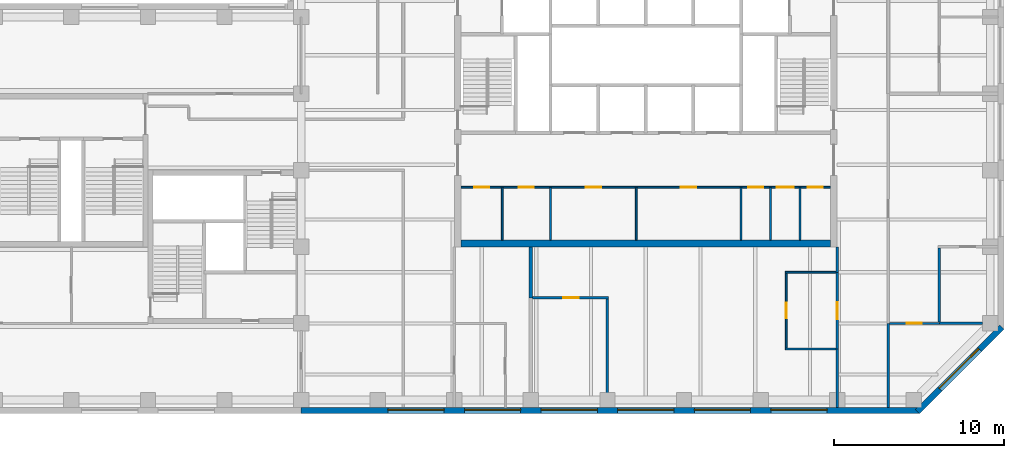
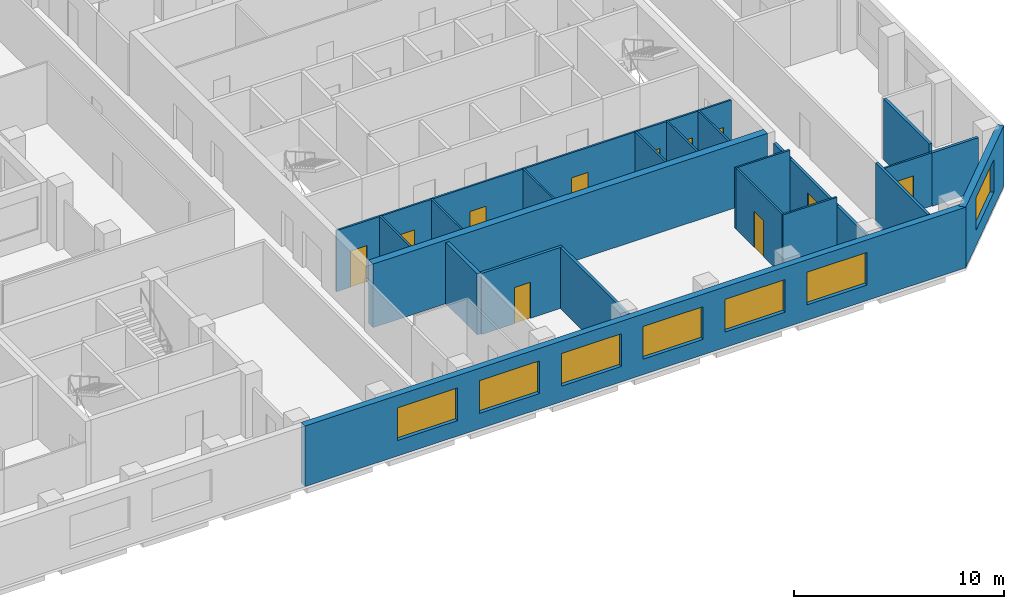
# One storey, part 4 of 9: 23 walls, 11 doors, 7 windows, 18 openings.
"""IFC4 building model written with IfcOpenShell, lengths in metres."""

from ifc_helpers import new_model, si_unit, direction, frame, frame_2d, origin, place, context, subcontext, project, spatial, rectangle, extrude, material, layer, layer_set, constituent, constituent_set, type_object, element, fill, save


model = new_model("IFC4")

# Units and contexts
model_context = context("Model", 3, precision=1e-05, world=origin(), true_north=direction((0.0, 1.0)))
body_context = subcontext(model_context, "Body", "Model", "MODEL_VIEW")
ifc_project = project(units=[si_unit("LENGTHUNIT", "METRE"), si_unit("AREAUNIT", "SQUARE_METRE"), si_unit("VOLUMEUNIT", "CUBIC_METRE"), si_unit("PLANEANGLEUNIT", "RADIAN"), si_unit("MASSUNIT", "GRAM", prefix="KILO")], contexts=[model_context])

# Site, building, storey
site_placement = place(None, origin())
site = spatial("IfcSite", under=ifc_project, at=site_placement, CompositionType="ELEMENT")
building_placement = place(site_placement, origin())
building = spatial("IfcBuilding", under=site, at=building_placement, Name="Quoin Convention Tower", CompositionType="ELEMENT")
storey_placement = place(building_placement, frame((0.0, 0.0, 223.0)))
storey = spatial("IfcBuildingStorey", under=building, at=storey_placement, Name="L58", CompositionType="ELEMENT", Elevation=223.0)

# Wall, opening, door
ifc_material_1 = material(Name="Plasterboard")
ifc_layer_1 = layer(ifc_material_1, 0.012451171875, Name="Finish")
ifc_material_2 = material(Name="Steel stud framing", Category="steel")
ifc_layer_2 = layer(ifc_material_2, 0.125, Name="Structure")
ifc_layer_3 = layer(ifc_material_1, 0.012451171875, Name="Finish")
ifc_layer_set_1 = layer_set([ifc_layer_1, ifc_layer_2, ifc_layer_3], Name="Steel stud framing")
wall_type_1 = type_object("IfcWallType", Name="Acoustic partition 150", PredefinedType="PARTITIONING", material=ifc_layer_set_1)
wall_1_placement = place(storey_placement, frame((49.60009765625, 46.5, 0.0), z_axis=(0.0, 0.0, 1.0), x_axis=(1.0, 0.0, 0.0)))
wall_1 = element("IfcWall", 1, at=wall_1_placement, inside=storey, type_object=wall_type_1, Name="pw-L58-009", PredefinedType="PARTITIONING", context=body_context, shape_type="SweptSolid", body=[
    extrude(rectangle(XDim=4.474853515625, YDim=0.14990234375, at=frame_2d((2.2373046875, 0.0))), origin(), (0.0, 0.0, 1.0), 3.550048828125),
])
opening_1_placement = place(wall_1_placement, frame((1.800048828125, 0.0, 0.0)))
opening_1 = element("IfcOpeningElement", 2, at=opening_1_placement, cuts=wall_1, Name="Opening DOH10-02", PredefinedType="OPENING", context=body_context, shape_type="SweptSolid", body=[
    extrude(rectangle(XDim=0.89990234375, YDim=2.10009765625, at=frame_2d((0.449951171875, 1.050048828125))), frame((0.0, 0.0849609375, 0.0), z_axis=(0.0, -1.0, 0.0), x_axis=(1.0, 0.0, 0.0)), (0.0, 0.0, 1.0), 0.169921875),
])
ifc_material_3 = material(Name="Steel door leaf", Category="steel")
door_type_1 = type_object("IfcDoorType", Name="Office door 900 x 2100", OperationType="SINGLE_SWING_RIGHT", PredefinedType="DOOR", material=ifc_material_3)
door_1_placement = place(opening_1_placement, origin())
door_1 = element("IfcDoor", 3, at=door_1_placement, inside=storey, type_object=door_type_1, Name="dr-L58-14", OperationType="SINGLE_SWING_RIGHT", OverallHeight=2.10009765625, OverallWidth=0.89990234375, PredefinedType="DOOR", context=body_context, shape_type="SweptSolid", body=[
    extrude(rectangle(XDim=0.89990234375, YDim=2.10009765625, at=frame_2d((0.449951171875, 1.050048828125))), frame((0.0, 0.02490234375, 0.0), z_axis=(0.0, -1.0, 0.0), x_axis=(1.0, 0.0, 0.0)), (0.0, 0.0, 1.0), 0.050048828125),
])
fill(opening_1, door_1)

# Walls
wall_2_placement = place(storey_placement, frame((54.0, 40.050048828125, 0.0), z_axis=(0.0, 0.0, 1.0), x_axis=(0.0, 1.0, 0.0)))
element("IfcWall", 4, at=wall_2_placement, inside=storey, type_object=wall_type_1, Name="pw-L58-039", PredefinedType="PARTITIONING", context=body_context, shape_type="SweptSolid", body=[
    extrude(rectangle(XDim=6.375, YDim=0.14990234375, at=frame_2d((3.1875, 0.0))), origin(), (0.0, 0.0, 1.0), 3.550048828125),
])
wall_3_placement = place(storey_placement, frame((73.5, 45.074951171875, 0.0), z_axis=(0.0, 0.0, 1.0), x_axis=(0.0, 1.0, 0.0)))
element("IfcWall", 5, at=wall_3_placement, inside=storey, type_object=wall_type_1, Name="pw-L58-050", PredefinedType="PARTITIONING", context=body_context, shape_type="SweptSolid", body=[
    extrude(rectangle(XDim=4.35009765625, YDim=0.14990234375, at=frame_2d((2.175048828125, 0.0))), origin(), (0.0, 0.0, 1.0), 3.550048828125),
])
ifc_layer_4 = layer(ifc_material_1, 0.012451171875, Name="Finish")
ifc_layer_5 = layer(ifc_material_2, 0.125, Name="Structure")
ifc_layer_6 = layer(ifc_material_1, 0.012451171875, Name="Finish")
ifc_layer_set_2 = layer_set([ifc_layer_4, ifc_layer_5, ifc_layer_6], Name="Steel stud framing")
wall_type_2 = type_object("IfcWallType", Name="Acoustic partition 150 under beam 454", PredefinedType="PARTITIONING", material=ifc_layer_set_2)
wall_4_placement = place(storey_placement, frame((73.5, 45.0, 0.0), z_axis=(0.0, 0.0, 1.0), x_axis=(1.0, 0.0, 0.0)))
element("IfcWall", 6, at=wall_4_placement, inside=storey, type_object=wall_type_2, Name="pw-L58-007", PredefinedType="PARTITIONING", context=body_context, shape_type="SweptSolid", body=[
    extrude(rectangle(XDim=2.550048828125, YDim=0.14990234375, at=frame_2d((1.27490234375, 0.0))), origin(), (0.0, 0.0, 1.0), 3.095947265625),
])

# Wall, openings, windows
ifc_material_4 = material(Name="Brick masonry", Category="masonry")
ifc_layer_7 = layer(ifc_material_4, 0.35009765625)
ifc_layer_set_3 = layer_set([ifc_layer_7], Name="Brick masonry")
wall_type_3 = type_object("IfcWallType", Name="Brick facade wall", PredefinedType="STANDARD", material=ifc_layer_set_3)
wall_5_placement = place(storey_placement, frame((36.0, 39.875, 0.0), z_axis=(0.0, 0.0, 1.0), x_axis=(1.0, 0.0, 0.0)))
wall_5 = element("IfcWall", 7, at=wall_5_placement, inside=storey, type_object=wall_type_3, Name="fw-L58-36000_40500", PredefinedType="STANDARD", context=body_context, shape_type="SweptSolid", body=[
    extrude(rectangle(XDim=36.331298828125, YDim=0.35009765625, at=frame_2d((18.16552734375, 0.0))), origin(), (0.0, 0.0, 1.0), 3.52490234375),
])
opening_2_placement = place(wall_5_placement, frame((5.10009765625, 0.0, 0.89990234375)))
opening_2 = element("IfcOpeningElement", 8, at=opening_2_placement, cuts=wall_5, Name="Opening W-02", PredefinedType="OPENING", context=body_context, shape_type="SweptSolid", body=[
    extrude(rectangle(XDim=3.300048828125, YDim=1.89990234375, at=frame_2d((1.64990234375, 0.949951171875))), frame((0.0, 0.18505859375, 0.0), z_axis=(0.0, -1.0, 0.0), x_axis=(1.0, 0.0, 0.0)), (0.0, 0.0, 1.0), 0.3701171875),
])
opening_3_placement = place(wall_5_placement, frame((9.60009765625, 0.0, 0.89990234375)))
opening_3 = element("IfcOpeningElement", 9, at=opening_3_placement, cuts=wall_5, Name="Opening W-02", PredefinedType="OPENING", context=body_context, shape_type="SweptSolid", body=[
    extrude(rectangle(XDim=3.300048828125, YDim=1.89990234375, at=frame_2d((1.64990234375, 0.949951171875))), frame((0.0, 0.18505859375, 0.0), z_axis=(0.0, -1.0, 0.0), x_axis=(1.0, 0.0, 0.0)), (0.0, 0.0, 1.0), 0.3701171875),
])
opening_4_placement = place(wall_5_placement, frame((14.10009765625, 0.0, 0.89990234375)))
opening_4 = element("IfcOpeningElement", 10, at=opening_4_placement, cuts=wall_5, Name="Opening W-02", PredefinedType="OPENING", context=body_context, shape_type="SweptSolid", body=[
    extrude(rectangle(XDim=3.300048828125, YDim=1.89990234375, at=frame_2d((1.64990234375, 0.949951171875))), frame((0.0, 0.18505859375, 0.0), z_axis=(0.0, -1.0, 0.0), x_axis=(1.0, 0.0, 0.0)), (0.0, 0.0, 1.0), 0.3701171875),
])
opening_5_placement = place(wall_5_placement, frame((18.60009765625, 0.0, 0.89990234375)))
opening_5 = element("IfcOpeningElement", 11, at=opening_5_placement, cuts=wall_5, Name="Opening W-02", PredefinedType="OPENING", context=body_context, shape_type="SweptSolid", body=[
    extrude(rectangle(XDim=3.300048828125, YDim=1.89990234375, at=frame_2d((1.64990234375, 0.949951171875))), frame((0.0, 0.18505859375, 0.0), z_axis=(0.0, -1.0, 0.0), x_axis=(1.0, 0.0, 0.0)), (0.0, 0.0, 1.0), 0.3701171875),
])
opening_6_placement = place(wall_5_placement, frame((23.10009765625, 0.0, 0.89990234375)))
opening_6 = element("IfcOpeningElement", 12, at=opening_6_placement, cuts=wall_5, Name="Opening W-02", PredefinedType="OPENING", context=body_context, shape_type="SweptSolid", body=[
    extrude(rectangle(XDim=3.300048828125, YDim=1.89990234375, at=frame_2d((1.64990234375, 0.949951171875))), frame((0.0, 0.18505859375, 0.0), z_axis=(0.0, -1.0, 0.0), x_axis=(1.0, 0.0, 0.0)), (0.0, 0.0, 1.0), 0.3701171875),
])
opening_7_placement = place(wall_5_placement, frame((27.60009765625, 0.0, 0.89990234375)))
opening_7 = element("IfcOpeningElement", 13, at=opening_7_placement, cuts=wall_5, Name="Opening W-02", PredefinedType="OPENING", context=body_context, shape_type="SweptSolid", body=[
    extrude(rectangle(XDim=3.300048828125, YDim=1.89990234375, at=frame_2d((1.64990234375, 0.949951171875))), frame((0.0, 0.18505859375, 0.0), z_axis=(0.0, -1.0, 0.0), x_axis=(1.0, 0.0, 0.0)), (0.0, 0.0, 1.0), 0.3701171875),
])
ifc_material_5 = material(Name="Aluminium", Category="aluminium")
ifc_constituent_1 = constituent(ifc_material_5, Name="Frame")
ifc_material_6 = material(Name="Insulated glass", Category="glass")
ifc_constituent_2 = constituent(ifc_material_6, Name="Glazing")
ifc_constituent_set = constituent_set(constituents=[ifc_constituent_1, ifc_constituent_2], Name="Aluminium")
window_type = type_object("IfcWindowType", Name="Office window", PartitioningType="DOUBLE_PANEL_VERTICAL", PredefinedType="WINDOW", material=ifc_constituent_set)
window_1_placement = place(opening_2_placement, origin())
window_1 = element("IfcWindow", 14, at=window_1_placement, inside=storey, type_object=window_type, Name="win-L58-42750_39875", OverallHeight=1.89990234375, OverallWidth=3.300048828125, PartitioningType="SINGLE_PANEL", PredefinedType="WINDOW", context=body_context, shape_type="SweptSolid", body=[
    extrude(rectangle(XDim=3.300048828125, YDim=1.89990234375, at=frame_2d((1.64990234375, 0.949951171875))), frame((0.0, 0.0849609375, 0.0), z_axis=(0.0, -1.0, 0.0), x_axis=(1.0, 0.0, 0.0)), (0.0, 0.0, 1.0), 0.06005859375),
])
fill(opening_2, window_1)
window_2_placement = place(opening_3_placement, origin())
window_2 = element("IfcWindow", 15, at=window_2_placement, inside=storey, type_object=window_type, Name="win-L58-47250_39875", OverallHeight=1.89990234375, OverallWidth=3.300048828125, PartitioningType="SINGLE_PANEL", PredefinedType="WINDOW", context=body_context, shape_type="SweptSolid", body=[
    extrude(rectangle(XDim=3.300048828125, YDim=1.89990234375, at=frame_2d((1.64990234375, 0.949951171875))), frame((0.0, 0.0849609375, 0.0), z_axis=(0.0, -1.0, 0.0), x_axis=(1.0, 0.0, 0.0)), (0.0, 0.0, 1.0), 0.06005859375),
])
fill(opening_3, window_2)
window_3_placement = place(opening_4_placement, origin())
window_3 = element("IfcWindow", 16, at=window_3_placement, inside=storey, type_object=window_type, Name="win-L58-51750_39875", OverallHeight=1.89990234375, OverallWidth=3.300048828125, PartitioningType="SINGLE_PANEL", PredefinedType="WINDOW", context=body_context, shape_type="SweptSolid", body=[
    extrude(rectangle(XDim=3.300048828125, YDim=1.89990234375, at=frame_2d((1.64990234375, 0.949951171875))), frame((0.0, 0.0849609375, 0.0), z_axis=(0.0, -1.0, 0.0), x_axis=(1.0, 0.0, 0.0)), (0.0, 0.0, 1.0), 0.06005859375),
])
fill(opening_4, window_3)
window_4_placement = place(opening_5_placement, origin())
window_4 = element("IfcWindow", 17, at=window_4_placement, inside=storey, type_object=window_type, Name="win-L58-56250_39875", OverallHeight=1.89990234375, OverallWidth=3.300048828125, PartitioningType="SINGLE_PANEL", PredefinedType="WINDOW", context=body_context, shape_type="SweptSolid", body=[
    extrude(rectangle(XDim=3.300048828125, YDim=1.89990234375, at=frame_2d((1.64990234375, 0.949951171875))), frame((0.0, 0.0849609375, 0.0), z_axis=(0.0, -1.0, 0.0), x_axis=(1.0, 0.0, 0.0)), (0.0, 0.0, 1.0), 0.06005859375),
])
fill(opening_5, window_4)
window_5_placement = place(opening_6_placement, origin())
window_5 = element("IfcWindow", 18, at=window_5_placement, inside=storey, type_object=window_type, Name="win-L58-60750_39875", OverallHeight=1.89990234375, OverallWidth=3.300048828125, PartitioningType="SINGLE_PANEL", PredefinedType="WINDOW", context=body_context, shape_type="SweptSolid", body=[
    extrude(rectangle(XDim=3.300048828125, YDim=1.89990234375, at=frame_2d((1.64990234375, 0.949951171875))), frame((0.0, 0.0849609375, 0.0), z_axis=(0.0, -1.0, 0.0), x_axis=(1.0, 0.0, 0.0)), (0.0, 0.0, 1.0), 0.06005859375),
])
fill(opening_6, window_5)
window_6_placement = place(opening_7_placement, origin())
window_6 = element("IfcWindow", 19, at=window_6_placement, inside=storey, type_object=window_type, Name="win-L58-65250_39875", OverallHeight=1.89990234375, OverallWidth=3.300048828125, PartitioningType="SINGLE_PANEL", PredefinedType="WINDOW", context=body_context, shape_type="SweptSolid", body=[
    extrude(rectangle(XDim=3.300048828125, YDim=1.89990234375, at=frame_2d((1.64990234375, 0.949951171875))), frame((0.0, 0.0849609375, 0.0), z_axis=(0.0, -1.0, 0.0), x_axis=(1.0, 0.0, 0.0)), (0.0, 0.0, 1.0), 0.06005859375),
])
fill(opening_7, window_6)

# Wall, opening, window
wall_6_placement = place(storey_placement, frame((72.20751953125, 39.82373046875, 0.0), z_axis=(0.0, 0.0, 1.0), x_axis=(0.707106781187, 0.707106781187, 0.0)))
wall_6 = element("IfcWall", 20, at=wall_6_placement, inside=storey, type_object=wall_type_3, Name="fw-L58-72000_40500", PredefinedType="STANDARD", context=body_context, shape_type="SweptSolid", body=[
    extrude(rectangle(XDim=7.02685546875, YDim=0.35009765625, at=frame_2d((3.513427734375, 0.0))), origin(), (0.0, 0.0, 1.0), 3.52490234375),
])
opening_8_placement = place(wall_6_placement, frame((1.86328125, 0.0, 0.89990234375)))
opening_8 = element("IfcOpeningElement", 21, at=opening_8_placement, cuts=wall_6, Name="Opening W-02", PredefinedType="OPENING", context=body_context, shape_type="SweptSolid", body=[
    extrude(rectangle(XDim=3.300048828125, YDim=1.89990234375, at=frame_2d((1.64990234375, 0.949951171875))), frame((0.0, 0.18505859375, 0.0), z_axis=(0.0, -1.0, 0.0), x_axis=(1.0, 0.0, 0.0)), (0.0, 0.0, 1.0), 0.3701171875),
])
window_7_placement = place(opening_8_placement, origin())
window_7 = element("IfcWindow", 22, at=window_7_placement, inside=storey, type_object=window_type, Name="win-L58-74692_42308", OverallHeight=1.89990234375, OverallWidth=3.300048828125, PartitioningType="SINGLE_PANEL", PredefinedType="WINDOW", context=body_context, shape_type="SweptSolid", body=[
    extrude(rectangle(XDim=3.300048828125, YDim=1.89990234375, at=frame_2d((1.64990234375, 0.949951171875))), frame((0.0, 0.0849609375, 0.0), z_axis=(0.0, -1.0, 0.0), x_axis=(1.0, 0.0, 0.0)), (0.0, 0.0, 1.0), 0.06005859375),
])
fill(opening_8, window_7)

# Wall, openings, doors
ifc_layer_8 = layer(ifc_material_1, 0.012451171875, Name="Finish")
ifc_layer_9 = layer(ifc_material_2, 0.074951171875, Name="Structure")
ifc_layer_10 = layer(ifc_material_1, 0.012451171875, Name="Finish")
ifc_layer_set_4 = layer_set([ifc_layer_8, ifc_layer_9, ifc_layer_10], Name="Steel stud framing")
wall_type_4 = type_object("IfcWallType", Name="Core partition wall", PredefinedType="PARTITIONING", material=ifc_layer_set_4)
wall_7_placement = place(storey_placement, frame((45.39990234375, 53.0, 0.0), z_axis=(0.0, 0.0, 1.0), x_axis=(1.0, 0.0, 0.0)))
wall_7 = element("IfcWall", 23, at=wall_7_placement, inside=storey, type_object=wall_type_4, Name="cr-C1-L58-h3500_400", PredefinedType="PARTITIONING", context=body_context, shape_type="SweptSolid", body=[
    extrude(rectangle(XDim=21.7001953125, YDim=0.10009765625, at=frame_2d((10.85009765625, 0.0))), origin(), (0.0, 0.0, 1.0), 3.550048828125),
])
opening_9_placement = place(wall_7_placement, frame((20.357421875, 0.0, 0.0)))
opening_9 = element("IfcOpeningElement", 24, at=opening_9_placement, cuts=wall_7, Name="Opening DCV2-32", PredefinedType="OPENING", context=body_context, shape_type="SweptSolid", body=[
    extrude(rectangle(XDim=0.89990234375, YDim=2.10009765625, at=frame_2d((0.449951171875, 1.050048828125))), frame((0.0, 0.06005859375, 0.0), z_axis=(0.0, -1.0, 0.0), x_axis=(1.0, 0.0, 0.0)), (0.0, 0.0, 1.0), 0.1201171875),
])
opening_10_placement = place(wall_7_placement, frame((18.548828125, 0.0, 0.0)))
opening_10 = element("IfcOpeningElement", 25, at=opening_10_placement, cuts=wall_7, Name="Opening DCV2-31", PredefinedType="OPENING", context=body_context, shape_type="SweptSolid", body=[
    extrude(rectangle(XDim=1.0, YDim=2.10009765625, at=frame_2d((0.5, 1.050048828125))), frame((0.0, 0.06005859375, 0.0), z_axis=(0.0, -1.0, 0.0), x_axis=(1.0, 0.0, 0.0)), (0.0, 0.0, 1.0), 0.1201171875),
])
opening_11_placement = place(wall_7_placement, frame((16.8662109375, 0.0, 0.0)))
opening_11 = element("IfcOpeningElement", 26, at=opening_11_placement, cuts=wall_7, Name="Opening DCV2-30", PredefinedType="OPENING", context=body_context, shape_type="SweptSolid", body=[
    extrude(rectangle(XDim=0.89990234375, YDim=2.10009765625, at=frame_2d((0.449951171875, 1.050048828125))), frame((0.0, 0.06005859375, 0.0), z_axis=(0.0, -1.0, 0.0), x_axis=(1.0, 0.0, 0.0)), (0.0, 0.0, 1.0), 0.1201171875),
])
opening_12_placement = place(wall_7_placement, frame((0.757568359375, 0.0, 0.0)))
opening_12 = element("IfcOpeningElement", 27, at=opening_12_placement, cuts=wall_7, Name="Opening DCV2-22", PredefinedType="OPENING", context=body_context, shape_type="SweptSolid", body=[
    extrude(rectangle(XDim=0.89990234375, YDim=2.10009765625, at=frame_2d((0.449951171875, 1.050048828125))), frame((0.0, 0.06005859375, 0.0), z_axis=(0.0, -1.0, 0.0), x_axis=(1.0, 0.0, 0.0)), (0.0, 0.0, 1.0), 0.1201171875),
])
opening_13_placement = place(wall_7_placement, frame((3.382568359375, 0.0, 0.0)))
opening_13 = element("IfcOpeningElement", 28, at=opening_13_placement, cuts=wall_7, Name="Opening DCV2-23", PredefinedType="OPENING", context=body_context, shape_type="SweptSolid", body=[
    extrude(rectangle(XDim=0.89990234375, YDim=2.10009765625, at=frame_2d((0.449951171875, 1.050048828125))), frame((0.0, 0.06005859375, 0.0), z_axis=(0.0, -1.0, 0.0), x_axis=(1.0, 0.0, 0.0)), (0.0, 0.0, 1.0), 0.1201171875),
])
opening_14_placement = place(wall_7_placement, frame((7.320068359375, 0.0, 0.0)))
opening_14 = element("IfcOpeningElement", 29, at=opening_14_placement, cuts=wall_7, Name="Opening DCV2-25", PredefinedType="OPENING", context=body_context, shape_type="SweptSolid", body=[
    extrude(rectangle(XDim=0.89990234375, YDim=2.10009765625, at=frame_2d((0.449951171875, 1.050048828125))), frame((0.0, 0.06005859375, 0.0), z_axis=(0.0, -1.0, 0.0), x_axis=(1.0, 0.0, 0.0)), (0.0, 0.0, 1.0), 0.1201171875),
])
opening_15_placement = place(wall_7_placement, frame((12.919921875, 0.0, 0.0)))
opening_15 = element("IfcOpeningElement", 30, at=opening_15_placement, cuts=wall_7, Name="Opening DCV2-28", PredefinedType="OPENING", context=body_context, shape_type="SweptSolid", body=[
    extrude(rectangle(XDim=0.89990234375, YDim=2.10009765625, at=frame_2d((0.449951171875, 1.050048828125))), frame((0.0, 0.06005859375, 0.0), z_axis=(0.0, -1.0, 0.0), x_axis=(1.0, 0.0, 0.0)), (0.0, 0.0, 1.0), 0.1201171875),
])
door_type_2 = type_object("IfcDoorType", Name="Core room door 1000 x 2100", OperationType="SINGLE_SWING_LEFT", PredefinedType="DOOR", material=ifc_material_3)
door_2_placement = place(opening_10_placement, frame((1.0, 0.0, 0.0), z_axis=(0.0, 0.0, 1.0), x_axis=(-1.0, 0.0, 0.0)))
door_2 = element("IfcDoor", 31, at=door_2_placement, inside=storey, type_object=door_type_2, Name="cd-C1-L58-CSE1-lobA-CD5811", OperationType="SINGLE_SWING_LEFT", OverallHeight=2.10009765625, OverallWidth=1.0, PredefinedType="DOOR", context=body_context, shape_type="SweptSolid", body=[
    extrude(rectangle(XDim=1.0, YDim=2.10009765625, at=frame_2d((0.5, 1.050048828125))), frame((0.0, 0.02490234375, 0.0), z_axis=(0.0, -1.0, 0.0), x_axis=(1.0, 0.0, 0.0)), (0.0, 0.0, 1.0), 0.050048828125),
])
fill(opening_10, door_2)
door_type_3 = type_object("IfcDoorType", Name="Core room door 900 x 2100", OperationType="SINGLE_SWING_LEFT", PredefinedType="DOOR", material=ifc_material_3)
door_3_placement = place(opening_9_placement, frame((0.89990234375, 0.0, 0.0), z_axis=(0.0, 0.0, 1.0), x_axis=(-1.0, 0.0, 0.0)))
door_3 = element("IfcDoor", 32, at=door_3_placement, inside=storey, type_object=door_type_3, Name="cd-C1-L58-CSE0-lobA-CD5810", OperationType="SINGLE_SWING_LEFT", OverallHeight=2.10009765625, OverallWidth=0.89990234375, PredefinedType="DOOR", context=body_context, shape_type="SweptSolid", body=[
    extrude(rectangle(XDim=0.89990234375, YDim=2.10009765625, at=frame_2d((0.449951171875, 1.050048828125))), frame((0.0, 0.02490234375, 0.0), z_axis=(0.0, -1.0, 0.0), x_axis=(1.0, 0.0, 0.0)), (0.0, 0.0, 1.0), 0.050048828125),
])
fill(opening_9, door_3)
door_4_placement = place(opening_11_placement, frame((0.89990234375, 0.0, 0.0), z_axis=(0.0, 0.0, 1.0), x_axis=(-1.0, 0.0, 0.0)))
door_4 = element("IfcDoor", 33, at=door_4_placement, inside=storey, type_object=door_type_3, Name="cd-C1-L58-CSE2-lobA-CD5812", OperationType="SINGLE_SWING_LEFT", OverallHeight=2.10009765625, OverallWidth=0.89990234375, PredefinedType="DOOR", context=body_context, shape_type="SweptSolid", body=[
    extrude(rectangle(XDim=0.89990234375, YDim=2.10009765625, at=frame_2d((0.449951171875, 1.050048828125))), frame((0.0, 0.02490234375, 0.0), z_axis=(0.0, -1.0, 0.0), x_axis=(1.0, 0.0, 0.0)), (0.0, 0.0, 1.0), 0.050048828125),
])
fill(opening_11, door_4)
door_5_placement = place(opening_12_placement, frame((0.89990234375, 0.0, 0.0), z_axis=(0.0, 0.0, 1.0), x_axis=(-1.0, 0.0, 0.0)))
door_5 = element("IfcDoor", 34, at=door_5_placement, inside=storey, type_object=door_type_3, Name="cd-C1-L58-CSW0-lobA-CD5813", OperationType="SINGLE_SWING_LEFT", OverallHeight=2.10009765625, OverallWidth=0.89990234375, PredefinedType="DOOR", context=body_context, shape_type="SweptSolid", body=[
    extrude(rectangle(XDim=0.89990234375, YDim=2.10009765625, at=frame_2d((0.449951171875, 1.050048828125))), frame((0.0, 0.02490234375, 0.0), z_axis=(0.0, -1.0, 0.0), x_axis=(1.0, 0.0, 0.0)), (0.0, 0.0, 1.0), 0.050048828125),
])
fill(opening_12, door_5)
door_6_placement = place(opening_13_placement, frame((0.89990234375, 0.0, 0.0), z_axis=(0.0, 0.0, 1.0), x_axis=(-1.0, 0.0, 0.0)))
door_6 = element("IfcDoor", 35, at=door_6_placement, inside=storey, type_object=door_type_3, Name="cd-C1-L58-CSW1-lobA-CD5814", OperationType="SINGLE_SWING_LEFT", OverallHeight=2.10009765625, OverallWidth=0.89990234375, PredefinedType="DOOR", context=body_context, shape_type="SweptSolid", body=[
    extrude(rectangle(XDim=0.89990234375, YDim=2.10009765625, at=frame_2d((0.449951171875, 1.050048828125))), frame((0.0, 0.02490234375, 0.0), z_axis=(0.0, -1.0, 0.0), x_axis=(1.0, 0.0, 0.0)), (0.0, 0.0, 1.0), 0.050048828125),
])
fill(opening_13, door_6)
door_7_placement = place(opening_14_placement, frame((0.89990234375, 0.0, 0.0), z_axis=(0.0, 0.0, 1.0), x_axis=(-1.0, 0.0, 0.0)))
door_7 = element("IfcDoor", 36, at=door_7_placement, inside=storey, type_object=door_type_3, Name="cd-C1-L58-F10-lobA-CD5815", OperationType="SINGLE_SWING_LEFT", OverallHeight=2.10009765625, OverallWidth=0.89990234375, PredefinedType="DOOR", context=body_context, shape_type="SweptSolid", body=[
    extrude(rectangle(XDim=0.89990234375, YDim=2.10009765625, at=frame_2d((0.449951171875, 1.050048828125))), frame((0.0, 0.02490234375, 0.0), z_axis=(0.0, -1.0, 0.0), x_axis=(1.0, 0.0, 0.0)), (0.0, 0.0, 1.0), 0.050048828125),
])
fill(opening_14, door_7)
door_8_placement = place(opening_15_placement, frame((0.89990234375, 0.0, 0.0), z_axis=(0.0, 0.0, 1.0), x_axis=(-1.0, 0.0, 0.0)))
door_8 = element("IfcDoor", 37, at=door_8_placement, inside=storey, type_object=door_type_3, Name="cd-C1-L58-F11-lobA-CD5816", OperationType="SINGLE_SWING_LEFT", OverallHeight=2.10009765625, OverallWidth=0.89990234375, PredefinedType="DOOR", context=body_context, shape_type="SweptSolid", body=[
    extrude(rectangle(XDim=0.89990234375, YDim=2.10009765625, at=frame_2d((0.449951171875, 1.050048828125))), frame((0.0, 0.02490234375, 0.0), z_axis=(0.0, -1.0, 0.0), x_axis=(1.0, 0.0, 0.0)), (0.0, 0.0, 1.0), 0.050048828125),
])
fill(opening_15, door_8)

# Walls
for number, where, z_axis, x_axis, name in (
    (38, (47.81494140625, 49.89990234375, 0.0), (0.0, 0.0, 1.0), (0.0, 1.0, 0.0), "cr-C1-L58-v2815_400"),
    (39, (50.64990234375, 49.89990234375, 0.0), (0.0, 0.0, 1.0), (0.0, 1.0, 0.0), "cr-C1-L58-v5650_400"),
    (40, (55.68994140625, 49.89990234375, 0.0), (0.0, 0.0, 1.0), (0.0, 1.0, 0.0), "cr-C1-L58-v10690_400"),
    (41, (61.85009765625, 49.89990234375, 0.0), (0.0, 0.0, 1.0), (0.0, 1.0, 0.0), "cr-C1-L58-v16850_400"),
    (42, (63.58251953125, 49.89990234375, 0.0), (0.0, 0.0, 1.0), (0.0, 1.0, 0.0), "cr-C1-L58-v18582_400"),
    (43, (65.31494140625, 49.89990234375, 0.0), (0.0, 0.0, 1.0), (0.0, 1.0, 0.0), "cr-C1-L58-v20315_400"),
):
    element("IfcWall", number, at=place(storey_placement, frame(where, z_axis=z_axis, x_axis=x_axis)), inside=storey, type_object=wall_type_4, Name=name, PredefinedType="PARTITIONING", context=body_context, shape_type="SweptSolid", body=[
        extrude(rectangle(XDim=3.10009765625, YDim=0.10009765625, at=frame_2d((1.550048828125, 0.0))), origin(), (0.0, 0.0, 1.0), 3.550048828125),
    ])
ifc_layer_11 = layer(ifc_material_1, 0.012451171875, Name="Finish")
ifc_layer_12 = layer(ifc_material_2, 0.125, Name="Structure")
ifc_layer_13 = layer(ifc_material_1, 0.012451171875, Name="Finish")
ifc_layer_set_5 = layer_set([ifc_layer_11, ifc_layer_12, ifc_layer_13], Name="Steel stud framing")
wall_type_5 = type_object("IfcWallType", Name="Corridor wall 150", PredefinedType="PARTITIONING", material=ifc_layer_set_5)
wall_8_placement = place(storey_placement, frame((70.5, 40.050048828125, 0.0), z_axis=(0.0, 0.0, 1.0), x_axis=(0.0, 1.0, 0.0)))
element("IfcWall", 44, at=wall_8_placement, inside=storey, type_object=wall_type_5, Name="pw-L58-041", PredefinedType="PARTITIONING", context=body_context, shape_type="SweptSolid", body=[
    extrude(rectangle(XDim=4.949951171875, YDim=0.14990234375, at=frame_2d((2.47509765625, 0.0))), origin(), (0.0, 0.0, 1.0), 3.550048828125),
])
ifc_layer_14 = layer(ifc_material_1, 0.012451171875, Name="Finish")
ifc_layer_15 = layer(ifc_material_2, 0.125, Name="Structure")
ifc_layer_16 = layer(ifc_material_1, 0.012451171875, Name="Finish")
ifc_layer_set_6 = layer_set([ifc_layer_14, ifc_layer_15, ifc_layer_16], Name="Steel stud framing")
wall_type_6 = type_object("IfcWallType", Name="Corridor wall 150 under beam 528", PredefinedType="PARTITIONING", material=ifc_layer_set_6)
wall_9_placement = place(storey_placement, frame((67.5, 40.050048828125, 0.0), z_axis=(0.0, 0.0, 1.0), x_axis=(0.0, 1.0, 0.0)))
element("IfcWall", 45, at=wall_9_placement, inside=storey, type_object=wall_type_6, Name="pw-L58-040", PredefinedType="PARTITIONING", context=body_context, shape_type="SweptSolid", body=[
    extrude(rectangle(XDim=3.449951171875, YDim=0.14990234375, at=frame_2d((1.72509765625, 0.0))), origin(), (0.0, 0.0, 1.0), 3.02197265625),
])

# Wall, opening, door
wall_10_placement = place(storey_placement, frame((67.5, 43.5, 0.0), z_axis=(0.0, 0.0, 1.0), x_axis=(0.0, 1.0, 0.0)))
wall_10 = element("IfcWall", 46, at=wall_10_placement, inside=storey, type_object=wall_type_6, Name="pw-L58-044", PredefinedType="PARTITIONING", context=body_context, shape_type="SweptSolid", body=[
    extrude(rectangle(XDim=4.5, YDim=0.14990234375, at=frame_2d((2.25, 0.0))), origin(), (0.0, 0.0, 1.0), 3.02197265625),
])
opening_16_placement = place(wall_10_placement, frame((1.75, 0.0, 0.0)))
opening_16 = element("IfcOpeningElement", 47, at=opening_16_placement, cuts=wall_10, Name="Opening DOH10-11", PredefinedType="OPENING", context=body_context, shape_type="SweptSolid", body=[
    extrude(rectangle(XDim=1.0, YDim=2.10009765625, at=frame_2d((0.5, 1.050048828125))), frame((0.0, 0.0849609375, 0.0), z_axis=(0.0, -1.0, 0.0), x_axis=(1.0, 0.0, 0.0)), (0.0, 0.0, 1.0), 0.169921875),
])
door_type_4 = type_object("IfcDoorType", Name="Tenancy entrance door 1000 x 2100", OperationType="DOUBLE_DOOR_SINGLE_SWING", PredefinedType="DOOR", material=ifc_material_3)
door_9_placement = place(opening_16_placement, origin())
door_9 = element("IfcDoor", 48, at=door_9_placement, inside=storey, type_object=door_type_4, Name="dr-L58-12", OperationType="DOUBLE_DOOR_SINGLE_SWING", OverallHeight=2.10009765625, OverallWidth=1.0, PredefinedType="DOOR", context=body_context, shape_type="SweptSolid", body=[
    extrude(rectangle(XDim=1.0, YDim=2.10009765625, at=frame_2d((0.5, 1.050048828125))), frame((0.0, 0.02490234375, 0.0), z_axis=(0.0, -1.0, 0.0), x_axis=(1.0, 0.0, 0.0)), (0.0, 0.0, 1.0), 0.050048828125),
])
fill(opening_16, door_9)

# Walls
wall_11_placement = place(storey_placement, frame((67.5, 48.0, 0.0), z_axis=(0.0, 0.0, 1.0), x_axis=(0.0, 1.0, 0.0)))
element("IfcWall", 49, at=wall_11_placement, inside=storey, type_object=wall_type_6, Name="pw-L58-054", PredefinedType="PARTITIONING", context=body_context, shape_type="SweptSolid", body=[
    extrude(rectangle(XDim=1.5, YDim=0.14990234375, at=frame_2d((0.75, 0.0))), origin(), (0.0, 0.0, 1.0), 3.02197265625),
])
ifc_material_7 = material(Name="Concrete C50", Category="concrete")
ifc_layer_17 = layer(ifc_material_7, 0.39990234375)
ifc_layer_set_7 = layer_set([ifc_layer_17], Name="Concrete C50")
wall_type_7 = type_object("IfcWallType", Name="RC CORE WALL 400 C50", PredefinedType="SHEAR", material=ifc_layer_set_7)
wall_12_placement = place(storey_placement, frame((45.39990234375, 49.699951171875, 0.0), z_axis=(0.0, 0.0, 1.0), x_axis=(1.0, 0.0, 0.0)))
element("IfcWall", 50, at=wall_12_placement, inside=storey, type_object=wall_type_7, Name="cwl-C1-L58-S", PredefinedType="SHEAR", context=body_context, shape_type="SweptSolid", body=[
    extrude(rectangle(XDim=21.7001953125, YDim=0.39990234375, at=frame_2d((10.85009765625, 0.0))), origin(), (0.0, 0.0, 1.0), 3.699951171875),
])
ifc_layer_18 = layer(ifc_material_1, 0.012451171875, Name="Finish")
ifc_layer_19 = layer(ifc_material_2, 0.074951171875, Name="Structure")
ifc_layer_20 = layer(ifc_material_1, 0.012451171875, Name="Finish")
ifc_layer_set_8 = layer_set([ifc_layer_18, ifc_layer_19, ifc_layer_20], Name="Steel stud framing")
wall_type_8 = type_object("IfcWallType", Name="Stud partition 100", PredefinedType="PARTITIONING", material=ifc_layer_set_8)
for number, where, z_axis, x_axis, name in (
    (51, (64.449951171875, 43.5, 0.0), (0.0, 0.0, 1.0), (1.0, 0.0, 0.0), "pw-L58-002"),
    (52, (64.449951171875, 48.0, 0.0), (0.0, 0.0, 1.0), (1.0, 0.0, 0.0), "pw-L58-010"),
):
    element("IfcWall", number, at=place(storey_placement, frame(where, z_axis=z_axis, x_axis=x_axis)), inside=storey, type_object=wall_type_8, Name=name, PredefinedType="PARTITIONING", context=body_context, shape_type="SweptSolid", body=[
        extrude(rectangle(XDim=2.97509765625, YDim=0.10009765625, at=frame_2d((1.487548828125, 0.0))), origin(), (0.0, 0.0, 1.0), 3.550048828125),
    ])

# Wall, opening, door
wall_13_placement = place(storey_placement, frame((64.5, 43.550048828125, 0.0), z_axis=(0.0, 0.0, 1.0), x_axis=(0.0, 1.0, 0.0)))
wall_13 = element("IfcWall", 53, at=wall_13_placement, inside=storey, type_object=wall_type_8, Name="pw-L58-045", PredefinedType="PARTITIONING", context=body_context, shape_type="SweptSolid", body=[
    extrude(rectangle(XDim=4.39990234375, YDim=0.10009765625, at=frame_2d((2.199951171875, 0.0))), origin(), (0.0, 0.0, 1.0), 3.550048828125),
])
opening_17_placement = place(wall_13_placement, frame((1.75, 0.0, 0.0)))
opening_17 = element("IfcOpeningElement", 54, at=opening_17_placement, cuts=wall_13, Name="Opening DOH10-12", PredefinedType="OPENING", context=body_context, shape_type="SweptSolid", body=[
    extrude(rectangle(XDim=0.89990234375, YDim=2.10009765625, at=frame_2d((0.449951171875, 1.050048828125))), frame((0.0, 0.06005859375, 0.0), z_axis=(0.0, -1.0, 0.0), x_axis=(1.0, 0.0, 0.0)), (0.0, 0.0, 1.0), 0.1201171875),
])
door_10_placement = place(opening_17_placement, origin())
door_10 = element("IfcDoor", 55, at=door_10_placement, inside=storey, type_object=door_type_1, Name="dr-L58-13", OperationType="SINGLE_SWING_RIGHT", OverallHeight=2.10009765625, OverallWidth=0.89990234375, PredefinedType="DOOR", context=body_context, shape_type="SweptSolid", body=[
    extrude(rectangle(XDim=0.89990234375, YDim=2.10009765625, at=frame_2d((0.449951171875, 1.050048828125))), frame((0.0, 0.02490234375, 0.0), z_axis=(0.0, -1.0, 0.0), x_axis=(1.0, 0.0, 0.0)), (0.0, 0.0, 1.0), 0.050048828125),
])
fill(opening_17, door_10)

ifc_layer_21 = layer(ifc_material_1, 0.012451171875, Name="Finish")
ifc_layer_22 = layer(ifc_material_2, 0.074951171875, Name="Structure")
ifc_layer_23 = layer(ifc_material_1, 0.012451171875, Name="Finish")
ifc_layer_set_9 = layer_set([ifc_layer_21, ifc_layer_22, ifc_layer_23], Name="Steel stud framing")
wall_type_9 = type_object("IfcWallType", Name="Stud partition 100 under beam 454", PredefinedType="PARTITIONING", material=ifc_layer_set_9)
wall_14_placement = place(storey_placement, frame((70.574951171875, 45.0, 0.0), z_axis=(0.0, 0.0, 1.0), x_axis=(1.0, 0.0, 0.0)))
wall_14 = element("IfcWall", 56, at=wall_14_placement, inside=storey, type_object=wall_type_9, Name="pw-L58-006", PredefinedType="PARTITIONING", context=body_context, shape_type="SweptSolid", body=[
    extrude(rectangle(XDim=2.925048828125, YDim=0.10009765625, at=frame_2d((1.46240234375, 0.0))), origin(), (0.0, 0.0, 1.0), 3.095947265625),
])
opening_18_placement = place(wall_14_placement, frame((1.0, 0.0, 0.0)))
opening_18 = element("IfcOpeningElement", 57, at=opening_18_placement, cuts=wall_14, Name="Opening DOH10-01", PredefinedType="OPENING", context=body_context, shape_type="SweptSolid", body=[
    extrude(rectangle(XDim=0.89990234375, YDim=2.10009765625, at=frame_2d((0.449951171875, 1.050048828125))), frame((0.0, 0.06005859375, 0.0), z_axis=(0.0, -1.0, 0.0), x_axis=(1.0, 0.0, 0.0)), (0.0, 0.0, 1.0), 0.1201171875),
])
door_11_placement = place(opening_18_placement, origin())
door_11 = element("IfcDoor", 58, at=door_11_placement, inside=storey, type_object=door_type_1, Name="dr-L58-23", OperationType="SINGLE_SWING_RIGHT", OverallHeight=2.10009765625, OverallWidth=0.89990234375, PredefinedType="DOOR", context=body_context, shape_type="SweptSolid", body=[
    extrude(rectangle(XDim=0.89990234375, YDim=2.10009765625, at=frame_2d((0.449951171875, 1.050048828125))), frame((0.0, 0.02490234375, 0.0), z_axis=(0.0, -1.0, 0.0), x_axis=(1.0, 0.0, 0.0)), (0.0, 0.0, 1.0), 0.050048828125),
])
fill(opening_18, door_11)

# Wall
ifc_layer_24 = layer(ifc_material_1, 0.012451171875, Name="Finish")
ifc_layer_25 = layer(ifc_material_2, 0.175048828125, Name="Structure")
ifc_layer_26 = layer(ifc_material_1, 0.012451171875, Name="Finish")
ifc_layer_set_10 = layer_set([ifc_layer_24, ifc_layer_25, ifc_layer_26], Name="Steel stud framing")
wall_type_10 = type_object("IfcWallType", Name="Tenancy demising wall 200", PredefinedType="PARTITIONING", material=ifc_layer_set_10)
wall_15_placement = place(storey_placement, frame((49.5, 46.5, 0.0), z_axis=(0.0, 0.0, 1.0), x_axis=(0.0, 1.0, 0.0)))
element("IfcWall", 59, at=wall_15_placement, inside=storey, type_object=wall_type_10, Name="pw-L58-052", PredefinedType="PARTITIONING", context=body_context, shape_type="SweptSolid", body=[
    extrude(rectangle(XDim=3.0, YDim=0.199951171875, at=frame_2d((1.5, 0.0))), origin(), (0.0, 0.0, 1.0), 3.550048828125),
])

save(model, "model.ifc")
